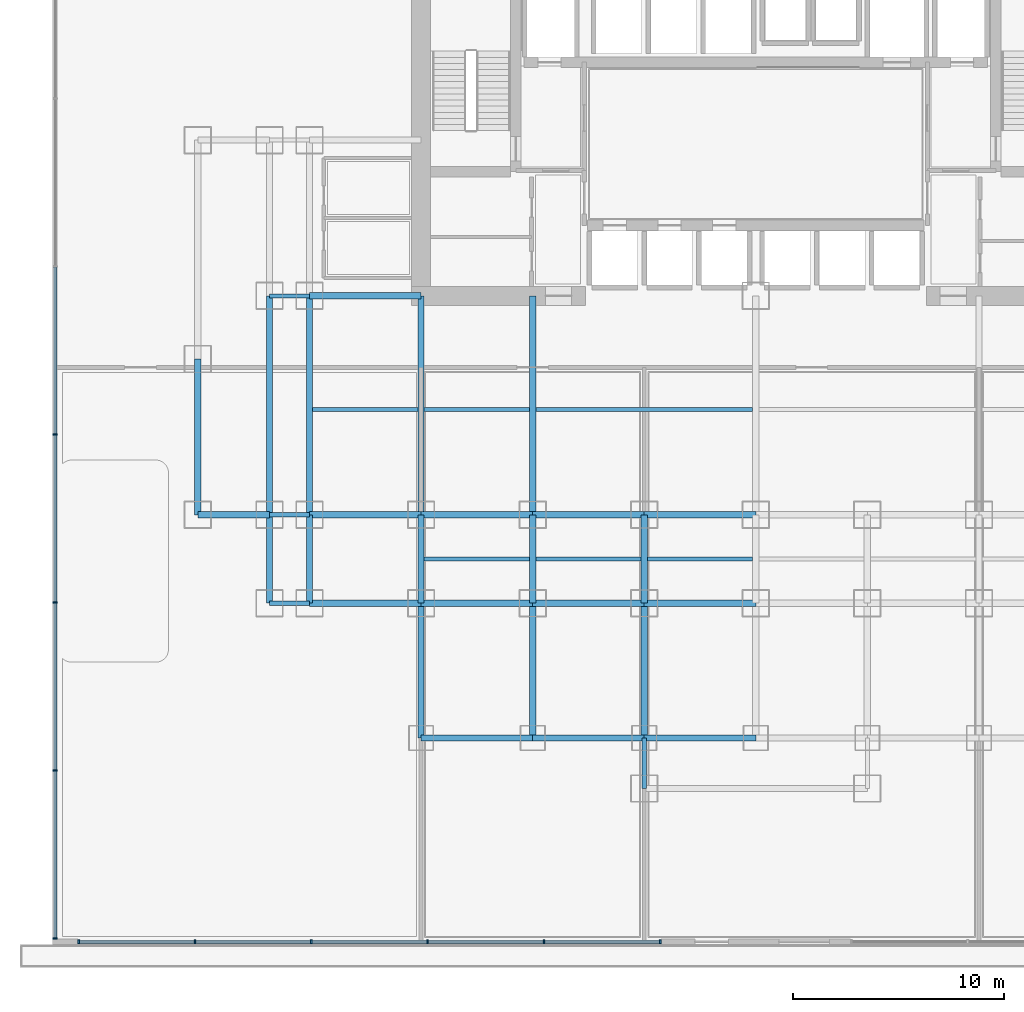
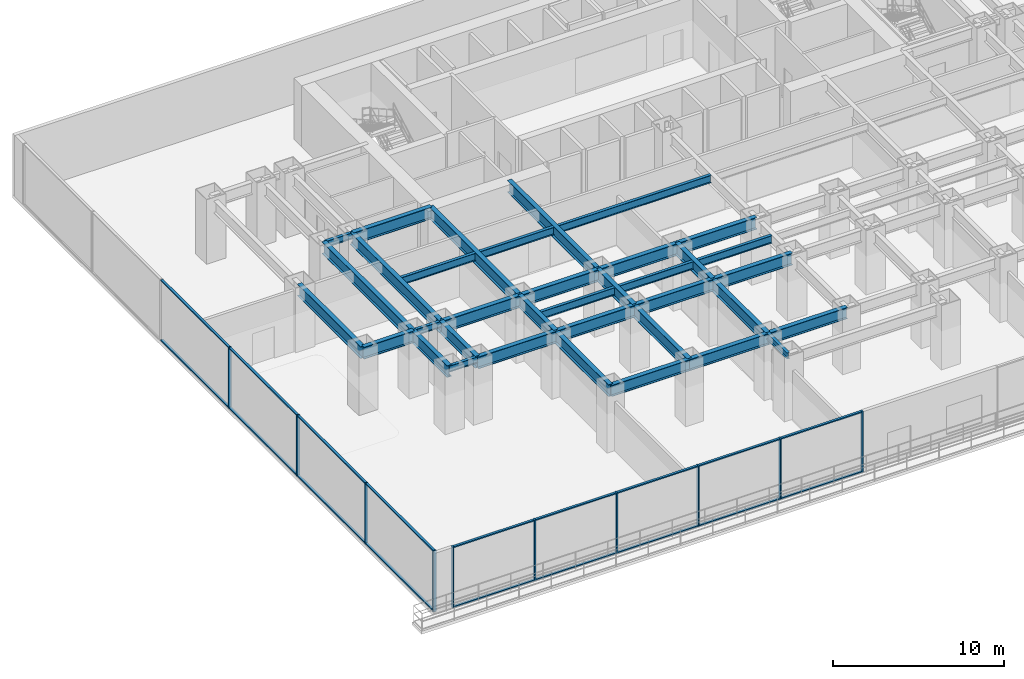
# One storey, part 2 of 13: 36 beams, 28 members, 2 elements without a shape of their own.
"""IFC4 building model written with IfcOpenShell, lengths in metres."""

import ifcopenshell
import ifcopenshell.guid

model = None  # the IFC model being written
_history = None  # IfcOwnerHistory: only IFC2X3 demands one
_inside = {}  # id of a spatial element -> (the spatial element, [elements in it])
_under = {}  # id of a project, library or spatial element -> (it, [spatial elements below it])
_declared = {}  # id of a project -> (the project, [libraries it declares])
_typed = {}  # id of a type object -> (the type object, [elements of that type])
_made_of = {}  # id of a material, layer set ... -> (it, [elements and type objects made of it])


def new_model(schema):
    """Start an empty IFC model of exactly this schema.

    Asked for "IFC4X3", IfcOpenShell would pick the latest addendum, in which some entities
    have other attributes; the version numbers below select the first issue.
    IFC2X3 requires an IfcOwnerHistory on every rooted entity: one is made here for all.
    """
    global model, _history
    if schema == "IFC4X3":
        model = ifcopenshell.file(schema_version=(4, 3, 0, 0))
    else:
        model = ifcopenshell.file(schema=schema)
    _inside.clear()
    _under.clear()
    _declared.clear()
    _typed.clear()
    _made_of.clear()
    _history = None
    if model.schema == "IFC2X3":
        org = make("IfcOrganization", Name="unknown")
        user = make(
            "IfcPersonAndOrganization",
            ThePerson=make("IfcPerson", FamilyName="unknown"),
            TheOrganization=org,
        )
        app = make(
            "IfcApplication",
            ApplicationDeveloper=org,
            Version="unknown",
            ApplicationFullName="unknown",
            ApplicationIdentifier="unknown",
        )
        _history = make(
            "IfcOwnerHistory",
            OwningUser=user,
            OwningApplication=app,
            ChangeAction="ADDED",
            CreationDate=0,
        )
    return model


def make(cls, **values):
    """One entity of the class cls with the attributes given. An attribute that is None is left unset."""
    return model.create_entity(
        cls, **{name: value for name, value in values.items() if value is not None}
    )


def rooted(cls, **values):
    """An entity with a GlobalId (a new one), such as an element, a storey or a relation."""
    return make(cls, GlobalId=ifcopenshell.guid.new(), OwnerHistory=_history, **values)


def si_unit(unit_type, name, prefix=None):
    """IfcSIUnit, for example si_unit("LENGTHUNIT", "METRE", prefix="MILLI")."""
    return make("IfcSIUnit", UnitType=unit_type, Prefix=prefix, Name=name)


def assignment(units):
    """IfcUnitAssignment: the units of a project."""
    return None if units is None else make("IfcUnitAssignment", Units=units)


def point(xyz):
    """IfcCartesianPoint."""
    return None if xyz is None else make("IfcCartesianPoint", Coordinates=xyz)


def direction(xyz):
    """IfcDirection."""
    return None if xyz is None else make("IfcDirection", DirectionRatios=xyz)


def frame(location, z_axis=None, x_axis=None):
    """IfcAxis2Placement3D, a coordinate frame: its origin and axes. An axis left out is left unset."""
    return make(
        "IfcAxis2Placement3D",
        Location=point(location),
        Axis=direction(z_axis),
        RefDirection=direction(x_axis),
    )


def frame_2d(location, x_axis=None):
    """IfcAxis2Placement2D, a coordinate frame in the plane: its origin and x axis."""
    return make(
        "IfcAxis2Placement2D", Location=point(location), RefDirection=direction(x_axis)
    )


def origin():
    """The frame at (0, 0, 0) with its axes left unset."""
    return frame((0.0, 0.0, 0.0))


def origin_2d():
    """The frame at (0, 0) in the plane with its x axis left unset."""
    return frame_2d((0.0, 0.0))


def place(relative_to, where):
    """IfcLocalPlacement: puts the frame where relative to a parent placement (None: the world)."""
    return make(
        "IfcLocalPlacement", PlacementRelTo=relative_to, RelativePlacement=where
    )


def context(
    kind, dimensions, precision=None, world=None, true_north=None, identifier=None
):
    """IfcGeometricRepresentationContext, for example the 3D "Model" context."""
    return make(
        "IfcGeometricRepresentationContext",
        ContextIdentifier=identifier,
        ContextType=kind,
        CoordinateSpaceDimension=dimensions,
        Precision=precision,
        WorldCoordinateSystem=world,
        TrueNorth=true_north,
    )


def subcontext(parent, identifier, kind, view, scale=None):
    """IfcGeometricRepresentationSubContext, for example "Body" below "Model"."""
    return make(
        "IfcGeometricRepresentationSubContext",
        ContextIdentifier=identifier,
        ContextType=kind,
        ParentContext=parent,
        TargetScale=scale,
        TargetView=view,
    )


def project(units=None, contexts=None):
    """IfcProject with its units and contexts."""
    return rooted(
        "IfcProject",
        Name="project",
        RepresentationContexts=contexts,
        UnitsInContext=assignment(units),
    )


def spatial(cls, under=None, at=None, **own):
    """A site, building, storey or space (cls), placed at a placement, below another one or the project."""
    s = rooted(cls, ObjectPlacement=at, **own)
    if under is not None:
        _under.setdefault(under.id(), (under, []))[1].append(s)
    return s


def profile(cls, at=None, kind="AREA", **sizes):
    """A parametric profile (cls). Its sizes go by their IFC names, for example OverallWidth=200.0."""
    return make(cls, ProfileType=kind, Position=at, **sizes)


def rectangle(**sizes):
    """IfcRectangleProfileDef."""
    return profile("IfcRectangleProfileDef", **sizes)


def i_section(**sizes):
    """IfcIShapeProfileDef."""
    return profile("IfcIShapeProfileDef", **sizes)


def extrude(swept, where, along, depth):
    """IfcExtrudedAreaSolid: the profile swept, set in the frame where, extruded along a direction by depth."""
    return make(
        "IfcExtrudedAreaSolid",
        SweptArea=swept,
        Position=where,
        ExtrudedDirection=direction(along),
        Depth=depth,
    )


def shape(context_of_items, identifier, shape_type, items):
    """IfcShapeRepresentation: the items that make up one representation, for example the "Body"."""
    return make(
        "IfcShapeRepresentation",
        ContextOfItems=context_of_items,
        RepresentationIdentifier=identifier,
        RepresentationType=shape_type,
        Items=items,
    )


def source(mapping_origin, context_of_items, identifier, shape_type, items):
    """IfcRepresentationMap: a shape defined once, which mapped items show again and again."""
    return make(
        "IfcRepresentationMap",
        MappingOrigin=mapping_origin,
        MappedRepresentation=shape(context_of_items, identifier, shape_type, items),
    )


def transform(
    local_origin,
    x_axis=None,
    y_axis=None,
    z_axis=None,
    scale=None,
    scale2=None,
    scale3=None,
    uniform=True,
):
    """IfcCartesianTransformationOperator3D, or its non-uniform kind. x_axis, y_axis, z_axis: its Axis1, 2, 3."""
    if uniform:
        return make(
            "IfcCartesianTransformationOperator3D",
            Axis1=direction(x_axis),
            Axis2=direction(y_axis),
            LocalOrigin=point(local_origin),
            Scale=scale,
            Axis3=direction(z_axis),
        )
    return make(
        "IfcCartesianTransformationOperator3DnonUniform",
        Axis1=direction(x_axis),
        Axis2=direction(y_axis),
        LocalOrigin=point(local_origin),
        Scale=scale,
        Axis3=direction(z_axis),
        Scale2=scale2,
        Scale3=scale3,
    )


def mapped(mapping_source, mapping_target):
    """IfcMappedItem: shows the shape of a source again, moved by a transform."""
    return make(
        "IfcMappedItem", MappingSource=mapping_source, MappingTarget=mapping_target
    )


def material(Name=None, Category=None):
    """IfcMaterial."""
    return make("IfcMaterial", Name=Name, Category=Category)


def layer(
    of_material, thickness, ventilated=None, Name=None, Category=None, Priority=None
):
    """IfcMaterialLayer: one layer of a wall or slab, of a material (None: an air gap)."""
    return make(
        "IfcMaterialLayer",
        Material=of_material,
        LayerThickness=thickness,
        IsVentilated=ventilated,
        Name=Name,
        Category=Category,
        Priority=Priority,
    )


def layer_set(layers, Name=None):
    """IfcMaterialLayerSet."""
    return make("IfcMaterialLayerSet", MaterialLayers=layers, LayerSetName=Name)


def material_profile(
    of_material, cross_section, Name=None, Category=None, Priority=None
):
    """IfcMaterialProfile: a cross section and its material."""
    return make(
        "IfcMaterialProfile",
        Name=Name,
        Material=of_material,
        Profile=cross_section,
        Priority=Priority,
        Category=Category,
    )


def profile_set(profiles, Name=None, composite=None):
    """IfcMaterialProfileSet."""
    return make(
        "IfcMaterialProfileSet",
        Name=Name,
        MaterialProfiles=profiles,
        CompositeProfile=composite,
    )


def made_of(thing, what):
    """Note that an element or type object is made of a material, layer set ...; save() writes the relation."""
    if what is not None:
        _made_of.setdefault(what.id(), (what, []))[1].append(thing)
    return thing


def type_object(cls, material=None, **own):
    """A type object (cls), such as IfcWallType, which elements share."""
    return made_of(rooted(cls, **own), material)


def element(
    cls,
    number,
    at=None,
    inside=None,
    cuts=None,
    type_object=None,
    material=None,
    context=None,
    identifier="Body",
    shape_type=None,
    held_by="IfcProductDefinitionShape",
    body=None,
    shapes=None,
    **own,
):
    """One element of the class cls, such as IfcWall. Its Tag is "e" and its number.

    at: its placement. inside: the storey or other place that contains it. cuts: it is an
    opening in that element (IfcRelVoidsElement). A single representation is given by context,
    identifier, shape_type and body (its items); several are given by shapes. held_by: the class
    of the entity that holds the representations. save() writes the other relations.
    """
    e = rooted(cls, Tag="e%d" % number, ObjectPlacement=at, **own)
    if body is not None:
        shapes = [shape(context, identifier, shape_type, body)]
    if shapes is not None:
        e.Representation = make(held_by, Representations=shapes)
    if inside is not None:
        _inside.setdefault(inside.id(), (inside, []))[1].append(e)
    if cuts is not None:
        rooted(
            "IfcRelVoidsElement", RelatingBuildingElement=cuts, RelatedOpeningElement=e
        )
    if type_object is not None:
        _typed.setdefault(type_object.id(), (type_object, []))[1].append(e)
    return made_of(e, material)


def aggregate(whole, parts):
    """IfcRelAggregates: a whole, such as a stair, and the parts it consists of."""
    return rooted("IfcRelAggregates", RelatingObject=whole, RelatedObjects=parts)


def save(model, path):
    """Write the relations noted so far, then the file.

    IfcRelAggregates (storeys below a building ...), IfcRelContainedInSpatialStructure (elements
    in a storey), IfcRelDefinesByType, IfcRelAssociatesMaterial and IfcRelDeclares: one each for
    every whole, place, type object, material and project.
    """
    for whole, parts in _under.values():
        aggregate(whole, parts)
    for where, things in _inside.values():
        rooted(
            "IfcRelContainedInSpatialStructure",
            RelatedElements=things,
            RelatingStructure=where,
        )
    for kind, things in _typed.values():
        rooted("IfcRelDefinesByType", RelatedObjects=things, RelatingType=kind)
    for what, things in _made_of.values():
        rooted("IfcRelAssociatesMaterial", RelatedObjects=things, RelatingMaterial=what)
    for by, libraries in _declared.values():
        rooted("IfcRelDeclares", RelatingContext=by, RelatedDefinitions=libraries)
    model.write(path)


model = new_model("IFC4")

# Units and contexts
model_context = context("Model", 3, precision=1e-05, world=origin(), true_north=direction((0.0, 1.0)))
body_context = subcontext(model_context, "Body", "Model", "MODEL_VIEW")
ifc_project = project(units=[si_unit("LENGTHUNIT", "METRE"), si_unit("AREAUNIT", "SQUARE_METRE"), si_unit("VOLUMEUNIT", "CUBIC_METRE"), si_unit("PLANEANGLEUNIT", "RADIAN"), si_unit("MASSUNIT", "GRAM", prefix="KILO")], contexts=[model_context])

# Site, building, storey
site_placement = place(None, origin())
site = spatial("IfcSite", under=ifc_project, at=site_placement, CompositionType="ELEMENT")
building_placement = place(site_placement, origin())
building = spatial("IfcBuilding", under=site, at=building_placement, Name="Qianlan Lanfeng Residences", CompositionType="ELEMENT")
storey_placement = place(building_placement, frame((0.0, 0.0, 9.800048828125)))
storey = spatial("IfcBuildingStorey", under=building, at=storey_placement, Name="L02", CompositionType="ELEMENT", Elevation=9.800048828125)

# Beams
ifc_material_1 = material(Name="Steel SN490B", Category="steel")
ifc_material_profile_1 = material_profile(ifc_material_1, i_section(OverallWidth=0.300048828125, OverallDepth=0.85009765625, WebThickness=0.01611328125, FlangeThickness=0.031982421875, at=origin_2d()), Name="H 850x300x16x32")
ifc_profile_set_1 = profile_set([ifc_material_profile_1], Name="Steel SN490B")
beam_type_1 = type_object("IfcBeamType", Name="G-1100", PredefinedType="BEAM", material=ifc_profile_set_1)
beam_1_placement = place(storey_placement, frame((5.300048828125, 10.60009765625, 3.925048828125), z_axis=(1.0, 0.0, 0.0), x_axis=(0.0, 1.0, 0.0)))
element("IfcBeam", 1, at=beam_1_placement, inside=storey, type_object=beam_type_1, Name="Structural beam G-1100", PredefinedType="BEAM", context=body_context, shape_type="SweptSolid", body=[
    extrude(i_section(OverallWidth=0.300048828125, OverallDepth=0.85009765625, WebThickness=0.01611328125, FlangeThickness=0.031982421875, at=origin_2d()), origin(), (0.0, 0.0, 1.0), 5.300048828125),
])
beam_2_placement = place(storey_placement, frame((10.60009765625, 10.60009765625, 3.925048828125), z_axis=(1.0, 0.0, 0.0), x_axis=(0.0, 1.0, 0.0)))
element("IfcBeam", 2, at=beam_2_placement, inside=storey, type_object=beam_type_1, Name="Structural beam G-1100", PredefinedType="BEAM", context=body_context, shape_type="SweptSolid", body=[
    extrude(i_section(OverallWidth=0.300048828125, OverallDepth=0.85009765625, WebThickness=0.01611328125, FlangeThickness=0.031982421875, at=origin_2d()), origin(), (0.0, 0.0, 1.0), 5.2998046875),
])
for number, where, z_axis, x_axis, name in (
    (3, (15.89990234375, 10.60009765625, 3.925048828125), (1.0, 0.0, 0.0), (0.0, 1.0, 0.0), "Structural beam G-1100"),
    (4, (21.199951171875, 10.60009765625, 3.925048828125), (1.0, 0.0, 0.0), (0.0, 1.0, 0.0), "Structural beam G-1100"),
):
    element("IfcBeam", number, at=place(storey_placement, frame(where, z_axis=z_axis, x_axis=x_axis)), inside=storey, type_object=beam_type_1, Name=name, PredefinedType="BEAM", context=body_context, shape_type="SweptSolid", body=[
        extrude(i_section(OverallWidth=0.300048828125, OverallDepth=0.85009765625, WebThickness=0.01611328125, FlangeThickness=0.031982421875, at=origin_2d()), origin(), (0.0, 0.0, 1.0), 5.300048828125),
    ])
beam_3_placement = place(storey_placement, frame((0.0, 14.800048828125, 3.925048828125), z_axis=(1.0, 0.0, 0.0), x_axis=(0.0, 1.0, 0.0)))
element("IfcBeam", 5, at=beam_3_placement, inside=storey, type_object=beam_type_1, Name="Structural beam G-1100", PredefinedType="BEAM", context=body_context, shape_type="SweptSolid", body=[
    extrude(i_section(OverallWidth=0.300048828125, OverallDepth=0.85009765625, WebThickness=0.01611328125, FlangeThickness=0.031982421875, at=origin_2d()), origin(), (0.0, 0.0, 1.0), 3.39990234375),
])
beam_4_placement = place(storey_placement, frame((5.300048828125, 14.800048828125, 3.925048828125), z_axis=(1.0, 0.0, 0.0), x_axis=(0.0, 1.0, 0.0)))
element("IfcBeam", 6, at=beam_4_placement, inside=storey, type_object=beam_type_1, Name="Structural beam G-1100", PredefinedType="BEAM", context=body_context, shape_type="SweptSolid", body=[
    extrude(i_section(OverallWidth=0.300048828125, OverallDepth=0.85009765625, WebThickness=0.01611328125, FlangeThickness=0.031982421875, at=origin_2d()), origin(), (0.0, 0.0, 1.0), 5.300048828125),
])
beam_5_placement = place(storey_placement, frame((10.60009765625, 14.800048828125, 3.925048828125), z_axis=(1.0, 0.0, 0.0), x_axis=(0.0, 1.0, 0.0)))
element("IfcBeam", 7, at=beam_5_placement, inside=storey, type_object=beam_type_1, Name="Structural beam G-1100", PredefinedType="BEAM", context=body_context, shape_type="SweptSolid", body=[
    extrude(i_section(OverallWidth=0.300048828125, OverallDepth=0.85009765625, WebThickness=0.01611328125, FlangeThickness=0.031982421875, at=origin_2d()), origin(), (0.0, 0.0, 1.0), 5.2998046875),
])
for number, where, z_axis, x_axis, name in (
    (8, (15.89990234375, 14.800048828125, 3.925048828125), (1.0, 0.0, 0.0), (0.0, 1.0, 0.0), "Structural beam G-1100"),
    (9, (21.199951171875, 14.800048828125, 3.925048828125), (1.0, 0.0, 0.0), (0.0, 1.0, 0.0), "Structural beam G-1100"),
    (10, (5.300048828125, 25.199951171875, 3.925048828125), (1.0, 0.0, 0.0), (0.0, 1.0, 0.0), "Structural beam G-1100"),
):
    element("IfcBeam", number, at=place(storey_placement, frame(where, z_axis=z_axis, x_axis=x_axis)), inside=storey, type_object=beam_type_1, Name=name, PredefinedType="BEAM", context=body_context, shape_type="SweptSolid", body=[
        extrude(i_section(OverallWidth=0.300048828125, OverallDepth=0.85009765625, WebThickness=0.01611328125, FlangeThickness=0.031982421875, at=origin_2d()), origin(), (0.0, 0.0, 1.0), 5.300048828125),
    ])
beam_6_placement = place(storey_placement, frame((0.0, 14.800048828125, 3.925048828125), z_axis=(0.0, 1.0, 0.0), x_axis=(-1.0, 0.0, 0.0)))
element("IfcBeam", 11, at=beam_6_placement, inside=storey, type_object=beam_type_1, Name="Structural beam G-1100", PredefinedType="BEAM", context=body_context, shape_type="SweptSolid", body=[
    extrude(i_section(OverallWidth=0.300048828125, OverallDepth=0.85009765625, WebThickness=0.01611328125, FlangeThickness=0.031982421875, at=origin_2d()), origin(), (0.0, 0.0, 1.0), 7.39990234375),
])
beam_7_placement = place(storey_placement, frame((3.39990234375, 10.60009765625, 3.925048828125), z_axis=(0.0, 1.0, 0.0), x_axis=(-1.0, 0.0, 0.0)))
element("IfcBeam", 12, at=beam_7_placement, inside=storey, type_object=beam_type_1, Name="Structural beam G-1100", PredefinedType="BEAM", context=body_context, shape_type="SweptSolid", body=[
    extrude(i_section(OverallWidth=0.300048828125, OverallDepth=0.85009765625, WebThickness=0.01611328125, FlangeThickness=0.031982421875, at=origin_2d()), origin(), (0.0, 0.0, 1.0), 4.199951171875),
])
beam_8_placement = place(storey_placement, frame((3.39990234375, 14.800048828125, 3.925048828125), z_axis=(0.0, 1.0, 0.0), x_axis=(-1.0, 0.0, 0.0)))
element("IfcBeam", 13, at=beam_8_placement, inside=storey, type_object=beam_type_1, Name="Structural beam G-1100", PredefinedType="BEAM", context=body_context, shape_type="SweptSolid", body=[
    extrude(i_section(OverallWidth=0.300048828125, OverallDepth=0.85009765625, WebThickness=0.01611328125, FlangeThickness=0.031982421875, at=origin_2d()), origin(), (0.0, 0.0, 1.0), 10.39990234375),
])
beam_9_placement = place(storey_placement, frame((5.300048828125, 10.60009765625, 3.925048828125), z_axis=(0.0, 1.0, 0.0), x_axis=(-1.0, 0.0, 0.0)))
element("IfcBeam", 14, at=beam_9_placement, inside=storey, type_object=beam_type_1, Name="Structural beam G-1100", PredefinedType="BEAM", context=body_context, shape_type="SweptSolid", body=[
    extrude(i_section(OverallWidth=0.300048828125, OverallDepth=0.85009765625, WebThickness=0.01611328125, FlangeThickness=0.031982421875, at=origin_2d()), origin(), (0.0, 0.0, 1.0), 4.199951171875),
])
beam_10_placement = place(storey_placement, frame((5.300048828125, 14.800048828125, 3.925048828125), z_axis=(0.0, 1.0, 0.0), x_axis=(-1.0, 0.0, 0.0)))
element("IfcBeam", 15, at=beam_10_placement, inside=storey, type_object=beam_type_1, Name="Structural beam G-1100", PredefinedType="BEAM", context=body_context, shape_type="SweptSolid", body=[
    extrude(i_section(OverallWidth=0.300048828125, OverallDepth=0.85009765625, WebThickness=0.01611328125, FlangeThickness=0.031982421875, at=origin_2d()), origin(), (0.0, 0.0, 1.0), 10.39990234375),
])
beam_11_placement = place(storey_placement, frame((10.60009765625, 4.199951171875, 3.925048828125), z_axis=(0.0, 1.0, 0.0), x_axis=(-1.0, 0.0, 0.0)))
element("IfcBeam", 16, at=beam_11_placement, inside=storey, type_object=beam_type_1, Name="Structural beam G-1100", PredefinedType="BEAM", context=body_context, shape_type="SweptSolid", body=[
    extrude(i_section(OverallWidth=0.300048828125, OverallDepth=0.85009765625, WebThickness=0.01611328125, FlangeThickness=0.031982421875, at=origin_2d()), origin(), (0.0, 0.0, 1.0), 6.400146484375),
])
beam_12_placement = place(storey_placement, frame((10.60009765625, 10.60009765625, 3.925048828125), z_axis=(0.0, 1.0, 0.0), x_axis=(-1.0, 0.0, 0.0)))
element("IfcBeam", 17, at=beam_12_placement, inside=storey, type_object=beam_type_1, Name="Structural beam G-1100", PredefinedType="BEAM", context=body_context, shape_type="SweptSolid", body=[
    extrude(i_section(OverallWidth=0.300048828125, OverallDepth=0.85009765625, WebThickness=0.01611328125, FlangeThickness=0.031982421875, at=origin_2d()), origin(), (0.0, 0.0, 1.0), 4.199951171875),
])
beam_13_placement = place(storey_placement, frame((10.60009765625, 14.800048828125, 3.925048828125), z_axis=(0.0, 1.0, 0.0), x_axis=(-1.0, 0.0, 0.0)))
element("IfcBeam", 18, at=beam_13_placement, inside=storey, type_object=beam_type_1, Name="Structural beam G-1100", PredefinedType="BEAM", context=body_context, shape_type="SweptSolid", body=[
    extrude(i_section(OverallWidth=0.300048828125, OverallDepth=0.85009765625, WebThickness=0.01611328125, FlangeThickness=0.031982421875, at=origin_2d()), origin(), (0.0, 0.0, 1.0), 10.39990234375),
])
beam_14_placement = place(storey_placement, frame((15.89990234375, 4.199951171875, 3.925048828125), z_axis=(0.0, 1.0, 0.0), x_axis=(-1.0, 0.0, 0.0)))
element("IfcBeam", 19, at=beam_14_placement, inside=storey, type_object=beam_type_1, Name="Structural beam G-1100", PredefinedType="BEAM", context=body_context, shape_type="SweptSolid", body=[
    extrude(i_section(OverallWidth=0.300048828125, OverallDepth=0.85009765625, WebThickness=0.01611328125, FlangeThickness=0.031982421875, at=origin_2d()), origin(), (0.0, 0.0, 1.0), 6.400146484375),
])
beam_15_placement = place(storey_placement, frame((15.89990234375, 10.60009765625, 3.925048828125), z_axis=(0.0, 1.0, 0.0), x_axis=(-1.0, 0.0, 0.0)))
element("IfcBeam", 20, at=beam_15_placement, inside=storey, type_object=beam_type_1, Name="Structural beam G-1100", PredefinedType="BEAM", context=body_context, shape_type="SweptSolid", body=[
    extrude(i_section(OverallWidth=0.300048828125, OverallDepth=0.85009765625, WebThickness=0.01611328125, FlangeThickness=0.031982421875, at=origin_2d()), origin(), (0.0, 0.0, 1.0), 4.199951171875),
])
beam_16_placement = place(storey_placement, frame((15.89990234375, 14.800048828125, 3.925048828125), z_axis=(0.0, 1.0, 0.0), x_axis=(-1.0, 0.0, 0.0)))
element("IfcBeam", 21, at=beam_16_placement, inside=storey, type_object=beam_type_1, Name="Structural beam G-1100", PredefinedType="BEAM", context=body_context, shape_type="SweptSolid", body=[
    extrude(i_section(OverallWidth=0.300048828125, OverallDepth=0.85009765625, WebThickness=0.01611328125, FlangeThickness=0.031982421875, at=origin_2d()), origin(), (0.0, 0.0, 1.0), 10.39990234375),
])
beam_17_placement = place(storey_placement, frame((21.199951171875, 4.199951171875, 3.925048828125), z_axis=(0.0, 1.0, 0.0), x_axis=(-1.0, 0.0, 0.0)))
element("IfcBeam", 22, at=beam_17_placement, inside=storey, type_object=beam_type_1, Name="Structural beam G-1100", PredefinedType="BEAM", context=body_context, shape_type="SweptSolid", body=[
    extrude(i_section(OverallWidth=0.300048828125, OverallDepth=0.85009765625, WebThickness=0.01611328125, FlangeThickness=0.031982421875, at=origin_2d()), origin(), (0.0, 0.0, 1.0), 6.400146484375),
])
beam_18_placement = place(storey_placement, frame((21.199951171875, 10.60009765625, 3.925048828125), z_axis=(0.0, 1.0, 0.0), x_axis=(-1.0, 0.0, 0.0)))
element("IfcBeam", 23, at=beam_18_placement, inside=storey, type_object=beam_type_1, Name="Structural beam G-1100", PredefinedType="BEAM", context=body_context, shape_type="SweptSolid", body=[
    extrude(i_section(OverallWidth=0.300048828125, OverallDepth=0.85009765625, WebThickness=0.01611328125, FlangeThickness=0.031982421875, at=origin_2d()), origin(), (0.0, 0.0, 1.0), 4.199951171875),
])
ifc_material_profile_2 = material_profile(ifc_material_1, i_section(OverallWidth=0.199951171875, OverallDepth=0.449951171875, WebThickness=0.009033203125, FlangeThickness=0.013916015625, at=origin_2d()), Name="H 450x200x9x14")
ifc_profile_set_2 = profile_set([ifc_material_profile_2], Name="Steel SN490B")
beam_type_2 = type_object("IfcBeamType", Name="J-450", PredefinedType="JOIST", material=ifc_profile_set_2)
for number, where, z_axis, x_axis, name in (
    (24, (3.39990234375, 10.60009765625, 4.125), (1.0, 0.0, 0.0), (0.0, 1.0, 0.0), "Structural beam J-450"),
    (25, (3.39990234375, 14.800048828125, 4.125), (1.0, 0.0, 0.0), (0.0, 1.0, 0.0), "Structural beam J-450"),
    (26, (3.39990234375, 25.199951171875, 4.125), (1.0, 0.0, 0.0), (0.0, 1.0, 0.0), "Structural beam J-450"),
):
    element("IfcBeam", number, at=place(storey_placement, frame(where, z_axis=z_axis, x_axis=x_axis)), inside=storey, type_object=beam_type_2, Name=name, PredefinedType="JOIST", context=body_context, shape_type="SweptSolid", body=[
        extrude(i_section(OverallWidth=0.199951171875, OverallDepth=0.449951171875, WebThickness=0.009033203125, FlangeThickness=0.013916015625, at=origin_2d()), origin(), (0.0, 0.0, 1.0), 1.900146484375),
    ])
beam_19_placement = place(storey_placement, frame((21.199951171875, 1.800048828125, 4.125), z_axis=(0.0, 1.0, 0.0), x_axis=(-1.0, 0.0, 0.0)))
element("IfcBeam", 27, at=beam_19_placement, inside=storey, type_object=beam_type_2, Name="Structural beam J-450", PredefinedType="JOIST", context=body_context, shape_type="SweptSolid", body=[
    extrude(i_section(OverallWidth=0.199951171875, OverallDepth=0.449951171875, WebThickness=0.009033203125, FlangeThickness=0.013916015625, at=origin_2d()), origin(), (0.0, 0.0, 1.0), 2.39990234375),
])
ifc_material_profile_3 = material_profile(ifc_material_1, i_section(OverallWidth=0.199951171875, OverallDepth=0.550048828125, WebThickness=0.010986328125, FlangeThickness=0.01806640625, at=origin_2d()), Name="H 550x200x11x18")
ifc_profile_set_3 = profile_set([ifc_material_profile_3], Name="Steel SN490B")
beam_type_3 = type_object("IfcBeamType", Name="J-550", PredefinedType="JOIST", material=ifc_profile_set_3)
for number, where, z_axis, x_axis, name in (
    (28, (10.75, 12.699951171875, 4.074951171875), (1.0, 0.0, 0.0), (0.0, 1.0, 0.0), "Structural beam J-550"),
    (29, (16.050048828125, 12.699951171875, 4.074951171875), (1.0, 0.0, 0.0), (0.0, 1.0, 0.0), "Structural beam J-550"),
    (30, (21.35009765625, 12.699951171875, 4.074951171875), (1.0, 0.0, 0.0), (0.0, 1.0, 0.0), "Structural beam J-550"),
    (31, (5.449951171875, 19.800048828125, 4.074951171875), (1.0, 0.0, 0.0), (0.0, 1.0, 0.0), "Structural beam J-550"),
    (32, (10.75, 19.800048828125, 4.074951171875), (1.0, 0.0, 0.0), (0.0, 1.0, 0.0), "Structural beam J-550"),
):
    element("IfcBeam", number, at=place(storey_placement, frame(where, z_axis=z_axis, x_axis=x_axis)), inside=storey, type_object=beam_type_3, Name=name, PredefinedType="JOIST", context=body_context, shape_type="SweptSolid", body=[
        extrude(i_section(OverallWidth=0.199951171875, OverallDepth=0.550048828125, WebThickness=0.010986328125, FlangeThickness=0.01806640625, at=origin_2d()), origin(), (0.0, 0.0, 1.0), 5.0),
    ])
beam_20_placement = place(storey_placement, frame((16.050048828125, 19.800048828125, 4.074951171875), z_axis=(1.0, 0.0, 0.0), x_axis=(0.0, 1.0, 0.0)))
element("IfcBeam", 33, at=beam_20_placement, inside=storey, type_object=beam_type_3, Name="Structural beam J-550", PredefinedType="JOIST", context=body_context, shape_type="SweptSolid", body=[
    extrude(i_section(OverallWidth=0.199951171875, OverallDepth=0.550048828125, WebThickness=0.010986328125, FlangeThickness=0.01806640625, at=origin_2d()), origin(), (0.0, 0.0, 1.0), 10.300048828125),
])
ifc_material_profile_4 = material_profile(ifc_material_1, i_section(OverallWidth=0.300048828125, OverallDepth=0.800048828125, WebThickness=0.01611328125, FlangeThickness=0.028076171875, at=origin_2d()), Name="H 800x300x16x28")
ifc_profile_set_4 = profile_set([ifc_material_profile_4], Name="Steel SN490B")
beam_type_4 = type_object("IfcBeamType", Name="SG-950", PredefinedType="SPANDREL", material=ifc_profile_set_4)
beam_21_placement = place(storey_placement, frame((10.60009765625, 4.199951171875, 3.949951171875), z_axis=(1.0, 0.0, 0.0), x_axis=(0.0, 1.0, 0.0)))
element("IfcBeam", 34, at=beam_21_placement, inside=storey, type_object=beam_type_4, Name="Structural beam SG-950", PredefinedType="SPANDREL", context=body_context, shape_type="SweptSolid", body=[
    extrude(i_section(OverallWidth=0.300048828125, OverallDepth=0.800048828125, WebThickness=0.01611328125, FlangeThickness=0.028076171875, at=origin_2d()), origin(), (0.0, 0.0, 1.0), 5.2998046875),
])
for number, where, z_axis, x_axis, name in (
    (35, (15.89990234375, 4.199951171875, 3.949951171875), (1.0, 0.0, 0.0), (0.0, 1.0, 0.0), "Structural beam SG-950"),
    (36, (21.199951171875, 4.199951171875, 3.949951171875), (1.0, 0.0, 0.0), (0.0, 1.0, 0.0), "Structural beam SG-950"),
):
    element("IfcBeam", number, at=place(storey_placement, frame(where, z_axis=z_axis, x_axis=x_axis)), inside=storey, type_object=beam_type_4, Name=name, PredefinedType="SPANDREL", context=body_context, shape_type="SweptSolid", body=[
        extrude(i_section(OverallWidth=0.300048828125, OverallDepth=0.800048828125, WebThickness=0.01611328125, FlangeThickness=0.028076171875, at=origin_2d()), origin(), (0.0, 0.0, 1.0), 5.300048828125),
    ])

# Curtain wall, members
ifc_material_2 = material(Name="Anodised Bronze Aluminium 6063-T6", Category="aluminium")
ifc_layer = layer(ifc_material_2, 0.219970703125)
ifc_layer_set = layer_set([ifc_layer], Name="Anodised Bronze Aluminium 6063-T6")
curtain_wall_type = type_object("IfcCurtainWallType", Name="CW-01", PredefinedType="NOTDEFINED", material=ifc_layer_set)
curtain_wall_1_placement = place(storey_placement, origin())
curtain_wall_1 = element("IfcCurtainWall", 37, at=curtain_wall_1_placement, inside=storey, type_object=curtain_wall_type, Name="L02 Unitised Curtain Wall CWR-L02-SW (CW-01)", PredefinedType="NOTDEFINED")
ifc_material_profile_5 = material_profile(ifc_material_2, rectangle(XDim=0.080078125, YDim=0.2099609375, at=origin_2d()), Name="ALU MULLION 80x210")
ifc_profile_set_5 = profile_set([ifc_material_profile_5], Name="Anodised Bronze Aluminium 6063-T6")
member_type_1 = type_object("IfcMemberType", Name="CWM-220", PredefinedType="MULLION", material=ifc_profile_set_5)
shared_shape_1 = source(origin(), body_context, "Body", "SweptSolid", [
    extrude(rectangle(XDim=0.080078125, YDim=0.2099609375, at=origin_2d()), origin(), (0.0, 0.0, 1.0), 4.349853515625),
])
member_1_placement = place(storey_placement, frame((-5.659912109375, -5.47998046875, 0.0), z_axis=(0.0, 0.0, 1.0), x_axis=(1.0, 0.0, 0.0)))
member_1 = element("IfcMember", 38, at=member_1_placement, type_object=member_type_1, Name="CWR-L02-SW Mullion 1", PredefinedType="MULLION", context=body_context, shape_type="MappedRepresentation", body=[
    mapped(shared_shape_1, transform((0.0, 0.0, 0.0), scale=1.0)),
])
member_2_placement = place(storey_placement, frame((-0.135986328125, -5.47998046875, 0.0), z_axis=(0.0, 0.0, 1.0), x_axis=(1.0, 0.0, 0.0)))
member_2 = element("IfcMember", 39, at=member_2_placement, type_object=member_type_1, Name="CWR-L02-SW Mullion 2", PredefinedType="MULLION", context=body_context, shape_type="MappedRepresentation", body=[
    mapped(shared_shape_1, transform((0.0, 0.0, 0.0), scale=1.0)),
])
member_3_placement = place(storey_placement, frame((5.387939453125, -5.47998046875, 0.0), z_axis=(0.0, 0.0, 1.0), x_axis=(1.0, 0.0, 0.0)))
member_3 = element("IfcMember", 40, at=member_3_placement, type_object=member_type_1, Name="CWR-L02-SW Mullion 3", PredefinedType="MULLION", context=body_context, shape_type="MappedRepresentation", body=[
    mapped(shared_shape_1, transform((0.0, 0.0, 0.0), scale=1.0)),
])
member_4_placement = place(storey_placement, frame((10.912109375, -5.47998046875, 0.0), z_axis=(0.0, 0.0, 1.0), x_axis=(1.0, 0.0, 0.0)))
member_4 = element("IfcMember", 41, at=member_4_placement, type_object=member_type_1, Name="CWR-L02-SW Mullion 4", PredefinedType="MULLION", context=body_context, shape_type="MappedRepresentation", body=[
    mapped(shared_shape_1, transform((0.0, 0.0, 0.0), scale=1.0)),
])
member_5_placement = place(storey_placement, frame((16.43603515625, -5.47998046875, 0.0), z_axis=(0.0, 0.0, 1.0), x_axis=(1.0, 0.0, 0.0)))
member_5 = element("IfcMember", 42, at=member_5_placement, type_object=member_type_1, Name="CWR-L02-SW Mullion 5", PredefinedType="MULLION", context=body_context, shape_type="MappedRepresentation", body=[
    mapped(shared_shape_1, transform((0.0, 0.0, 0.0), scale=1.0)),
])
member_6_placement = place(storey_placement, frame((21.9599609375, -5.47998046875, 0.0), z_axis=(0.0, 0.0, 1.0), x_axis=(1.0, 0.0, 0.0)))
member_6 = element("IfcMember", 43, at=member_6_placement, type_object=member_type_1, Name="CWR-L02-SW Mullion 6", PredefinedType="MULLION", context=body_context, shape_type="MappedRepresentation", body=[
    mapped(shared_shape_1, transform((0.0, 0.0, 0.0), scale=1.0)),
])

curtain_wall_2_placement = place(storey_placement, origin())
curtain_wall_2 = element("IfcCurtainWall", 44, at=curtain_wall_2_placement, inside=storey, type_object=curtain_wall_type, Name="L02 Unitised Curtain Wall CWR-L02-W (CW-01)", PredefinedType="NOTDEFINED")
member_7_placement = place(storey_placement, frame((-6.780029296875, 18.6201171875, 0.0), z_axis=(0.0, 0.0, 1.0), x_axis=(0.0, -1.0, 0.0)))
member_7 = element("IfcMember", 45, at=member_7_placement, type_object=member_type_1, Name="CWR-L02-W Mullion 4", PredefinedType="MULLION", context=body_context, shape_type="MappedRepresentation", body=[
    mapped(shared_shape_1, transform((0.0, 0.0, 0.0), scale=1.0)),
])
member_8_placement = place(storey_placement, frame((-6.780029296875, 10.639892578125, 0.0), z_axis=(0.0, 0.0, 1.0), x_axis=(0.0, -1.0, 0.0)))
member_8 = element("IfcMember", 46, at=member_8_placement, type_object=member_type_1, Name="CWR-L02-W Mullion 5", PredefinedType="MULLION", context=body_context, shape_type="MappedRepresentation", body=[
    mapped(shared_shape_1, transform((0.0, 0.0, 0.0), scale=1.0)),
])
member_9_placement = place(storey_placement, frame((-6.780029296875, 2.659912109375, 0.0), z_axis=(0.0, 0.0, 1.0), x_axis=(0.0, -1.0, 0.0)))
member_9 = element("IfcMember", 47, at=member_9_placement, type_object=member_type_1, Name="CWR-L02-W Mullion 6", PredefinedType="MULLION", context=body_context, shape_type="MappedRepresentation", body=[
    mapped(shared_shape_1, transform((0.0, 0.0, 0.0), scale=1.0)),
])
member_10_placement = place(storey_placement, frame((-6.780029296875, -5.320068359375, 0.0), z_axis=(0.0, 0.0, 1.0), x_axis=(0.0, -1.0, 0.0)))
member_10 = element("IfcMember", 48, at=member_10_placement, type_object=member_type_1, Name="CWR-L02-W Mullion 7", PredefinedType="MULLION", context=body_context, shape_type="MappedRepresentation", body=[
    mapped(shared_shape_1, transform((0.0, 0.0, 0.0), scale=1.0)),
])

# Member
ifc_material_profile_6 = material_profile(ifc_material_2, rectangle(XDim=0.080078125, YDim=0.159912109375, at=origin_2d()), Name="ALU TRANSOM 80x160")
ifc_profile_set_6 = profile_set([ifc_material_profile_6], Name="Anodised Bronze Aluminium 6063-T6")
member_type_2 = type_object("IfcMemberType", Name="CWT-180", PredefinedType="USERDEFINED", material=ifc_profile_set_6)
shared_shape_2 = source(origin(), body_context, "Body", "SweptSolid", [
    extrude(rectangle(XDim=0.080078125, YDim=0.159912109375, at=origin_2d()), origin(), (0.0, 0.0, 1.0), 5.444091796875),
])
member_11_placement = place(storey_placement, frame((-5.6201171875, -5.47998046875, 0.0400390625), z_axis=(1.0, 0.0, 0.0), x_axis=(0.0, 0.0, 1.0)))
member_11 = element("IfcMember", 49, at=member_11_placement, type_object=member_type_2, Name="CWR-L02-SW Transom 1-BOT", ObjectType="TRANSOM", PredefinedType="USERDEFINED", context=body_context, shape_type="MappedRepresentation", body=[
    mapped(shared_shape_2, transform((0.0, 0.0, 0.0), scale=1.0)),
])

member_12_placement = place(storey_placement, frame((-5.6201171875, -5.47998046875, 4.31005859375), z_axis=(1.0, 0.0, 0.0), x_axis=(0.0, 0.0, 1.0)))
member_12 = element("IfcMember", 50, at=member_12_placement, type_object=member_type_2, Name="CWR-L02-SW Transom 1-TOP", ObjectType="TRANSOM", PredefinedType="USERDEFINED", context=body_context, shape_type="MappedRepresentation", body=[
    mapped(shared_shape_2, transform((0.0, 0.0, 0.0), scale=1.0)),
])

member_13_placement = place(storey_placement, frame((5.427978515625, -5.47998046875, 0.0400390625), z_axis=(1.0, 0.0, 0.0), x_axis=(0.0, 0.0, 1.0)))
member_13 = element("IfcMember", 51, at=member_13_placement, type_object=member_type_2, Name="CWR-L02-SW Transom 3-BOT", ObjectType="TRANSOM", PredefinedType="USERDEFINED", context=body_context, shape_type="MappedRepresentation", body=[
    mapped(shared_shape_2, transform((0.0, 0.0, 0.0), scale=1.0)),
])

member_14_placement = place(storey_placement, frame((5.427978515625, -5.47998046875, 4.31005859375), z_axis=(1.0, 0.0, 0.0), x_axis=(0.0, 0.0, 1.0)))
member_14 = element("IfcMember", 52, at=member_14_placement, type_object=member_type_2, Name="CWR-L02-SW Transom 3-TOP", ObjectType="TRANSOM", PredefinedType="USERDEFINED", context=body_context, shape_type="MappedRepresentation", body=[
    mapped(shared_shape_2, transform((0.0, 0.0, 0.0), scale=1.0)),
])

member_15_placement = place(storey_placement, frame((10.951904296875, -5.47998046875, 0.0400390625), z_axis=(1.0, 0.0, 0.0), x_axis=(0.0, 0.0, 1.0)))
member_15 = element("IfcMember", 53, at=member_15_placement, type_object=member_type_2, Name="CWR-L02-SW Transom 4-BOT", ObjectType="TRANSOM", PredefinedType="USERDEFINED", context=body_context, shape_type="MappedRepresentation", body=[
    mapped(shared_shape_2, transform((0.0, 0.0, 0.0), scale=1.0)),
])

member_16_placement = place(storey_placement, frame((10.951904296875, -5.47998046875, 4.31005859375), z_axis=(1.0, 0.0, 0.0), x_axis=(0.0, 0.0, 1.0)))
member_16 = element("IfcMember", 54, at=member_16_placement, type_object=member_type_2, Name="CWR-L02-SW Transom 4-TOP", ObjectType="TRANSOM", PredefinedType="USERDEFINED", context=body_context, shape_type="MappedRepresentation", body=[
    mapped(shared_shape_2, transform((0.0, 0.0, 0.0), scale=1.0)),
])

shared_shape_3 = source(origin(), body_context, "Body", "SweptSolid", [
    extrude(rectangle(XDim=0.080078125, YDim=0.159912109375, at=origin_2d()), origin(), (0.0, 0.0, 1.0), 5.44384765625),
])
member_17_placement = place(storey_placement, frame((-0.095947265625, -5.47998046875, 0.0400390625), z_axis=(1.0, 0.0, 0.0), x_axis=(0.0, 0.0, 1.0)))
member_17 = element("IfcMember", 55, at=member_17_placement, type_object=member_type_2, Name="CWR-L02-SW Transom 2-BOT", ObjectType="TRANSOM", PredefinedType="USERDEFINED", context=body_context, shape_type="MappedRepresentation", body=[
    mapped(shared_shape_3, transform((0.0, 0.0, 0.0), scale=1.0)),
])

member_18_placement = place(storey_placement, frame((-0.095947265625, -5.47998046875, 4.31005859375), z_axis=(1.0, 0.0, 0.0), x_axis=(0.0, 0.0, 1.0)))
member_18 = element("IfcMember", 56, at=member_18_placement, type_object=member_type_2, Name="CWR-L02-SW Transom 2-TOP", ObjectType="TRANSOM", PredefinedType="USERDEFINED", context=body_context, shape_type="MappedRepresentation", body=[
    mapped(shared_shape_3, transform((0.0, 0.0, 0.0), scale=1.0)),
])

member_19_placement = place(storey_placement, frame((16.47607421875, -5.47998046875, 0.0400390625), z_axis=(1.0, 0.0, 0.0), x_axis=(0.0, 0.0, 1.0)))
member_19 = element("IfcMember", 57, at=member_19_placement, type_object=member_type_2, Name="CWR-L02-SW Transom 5-BOT", ObjectType="TRANSOM", PredefinedType="USERDEFINED", context=body_context, shape_type="MappedRepresentation", body=[
    mapped(shared_shape_3, transform((0.0, 0.0, 0.0), scale=1.0)),
])

member_20_placement = place(storey_placement, frame((16.47607421875, -5.47998046875, 4.31005859375), z_axis=(1.0, 0.0, 0.0), x_axis=(0.0, 0.0, 1.0)))
member_20 = element("IfcMember", 58, at=member_20_placement, type_object=member_type_2, Name="CWR-L02-SW Transom 5-TOP", ObjectType="TRANSOM", PredefinedType="USERDEFINED", context=body_context, shape_type="MappedRepresentation", body=[
    mapped(shared_shape_3, transform((0.0, 0.0, 0.0), scale=1.0)),
])

aggregate(curtain_wall_1, [member_1, member_2, member_3, member_4, member_5, member_6, member_11, member_12, member_17, member_18, member_13, member_14, member_15, member_16, member_19, member_20])

shared_shape_4 = source(origin(), body_context, "Body", "SweptSolid", [
    extrude(rectangle(XDim=0.080078125, YDim=0.159912109375, at=origin_2d()), origin(), (0.0, 0.0, 1.0), 7.900146484375),
])
member_21_placement = place(storey_placement, frame((-6.780029296875, 26.56005859375, 0.0400390625), z_axis=(0.0, -1.0, 0.0), x_axis=(0.0, 0.0, 1.0)))
member_21 = element("IfcMember", 59, at=member_21_placement, type_object=member_type_2, Name="CWR-L02-W Transom 3-BOT", ObjectType="TRANSOM", PredefinedType="USERDEFINED", context=body_context, shape_type="MappedRepresentation", body=[
    mapped(shared_shape_4, transform((0.0, 0.0, 0.0), scale=1.0)),
])

member_22_placement = place(storey_placement, frame((-6.780029296875, 26.56005859375, 4.31005859375), z_axis=(0.0, -1.0, 0.0), x_axis=(0.0, 0.0, 1.0)))
member_22 = element("IfcMember", 60, at=member_22_placement, type_object=member_type_2, Name="CWR-L02-W Transom 3-TOP", ObjectType="TRANSOM", PredefinedType="USERDEFINED", context=body_context, shape_type="MappedRepresentation", body=[
    mapped(shared_shape_4, transform((0.0, 0.0, 0.0), scale=1.0)),
])

member_23_placement = place(storey_placement, frame((-6.780029296875, 18.580078125, 0.0400390625), z_axis=(0.0, -1.0, 0.0), x_axis=(0.0, 0.0, 1.0)))
member_23 = element("IfcMember", 61, at=member_23_placement, type_object=member_type_2, Name="CWR-L02-W Transom 4-BOT", ObjectType="TRANSOM", PredefinedType="USERDEFINED", context=body_context, shape_type="MappedRepresentation", body=[
    mapped(shared_shape_4, transform((0.0, 0.0, 0.0), scale=1.0)),
])

member_24_placement = place(storey_placement, frame((-6.780029296875, 18.580078125, 4.31005859375), z_axis=(0.0, -1.0, 0.0), x_axis=(0.0, 0.0, 1.0)))
member_24 = element("IfcMember", 62, at=member_24_placement, type_object=member_type_2, Name="CWR-L02-W Transom 4-TOP", ObjectType="TRANSOM", PredefinedType="USERDEFINED", context=body_context, shape_type="MappedRepresentation", body=[
    mapped(shared_shape_4, transform((0.0, 0.0, 0.0), scale=1.0)),
])

member_25_placement = place(storey_placement, frame((-6.780029296875, 10.60009765625, 0.0400390625), z_axis=(0.0, -1.0, 0.0), x_axis=(0.0, 0.0, 1.0)))
member_25 = element("IfcMember", 63, at=member_25_placement, type_object=member_type_2, Name="CWR-L02-W Transom 5-BOT", ObjectType="TRANSOM", PredefinedType="USERDEFINED", context=body_context, shape_type="MappedRepresentation", body=[
    mapped(shared_shape_4, transform((0.0, 0.0, 0.0), scale=1.0)),
])

member_26_placement = place(storey_placement, frame((-6.780029296875, 10.60009765625, 4.31005859375), z_axis=(0.0, -1.0, 0.0), x_axis=(0.0, 0.0, 1.0)))
member_26 = element("IfcMember", 64, at=member_26_placement, type_object=member_type_2, Name="CWR-L02-W Transom 5-TOP", ObjectType="TRANSOM", PredefinedType="USERDEFINED", context=body_context, shape_type="MappedRepresentation", body=[
    mapped(shared_shape_4, transform((0.0, 0.0, 0.0), scale=1.0)),
])

member_27_placement = place(storey_placement, frame((-6.780029296875, 2.6201171875, 0.0400390625), z_axis=(0.0, -1.0, 0.0), x_axis=(0.0, 0.0, 1.0)))
member_27 = element("IfcMember", 65, at=member_27_placement, type_object=member_type_2, Name="CWR-L02-W Transom 6-BOT", ObjectType="TRANSOM", PredefinedType="USERDEFINED", context=body_context, shape_type="MappedRepresentation", body=[
    mapped(shared_shape_4, transform((0.0, 0.0, 0.0), scale=1.0)),
])

member_28_placement = place(storey_placement, frame((-6.780029296875, 2.6201171875, 4.31005859375), z_axis=(0.0, -1.0, 0.0), x_axis=(0.0, 0.0, 1.0)))
member_28 = element("IfcMember", 66, at=member_28_placement, type_object=member_type_2, Name="CWR-L02-W Transom 6-TOP", ObjectType="TRANSOM", PredefinedType="USERDEFINED", context=body_context, shape_type="MappedRepresentation", body=[
    mapped(shared_shape_4, transform((0.0, 0.0, 0.0), scale=1.0)),
])

aggregate(curtain_wall_2, [member_7, member_8, member_9, member_10, member_21, member_22, member_23, member_24, member_25, member_26, member_27, member_28])

save(model, "model.ifc")
